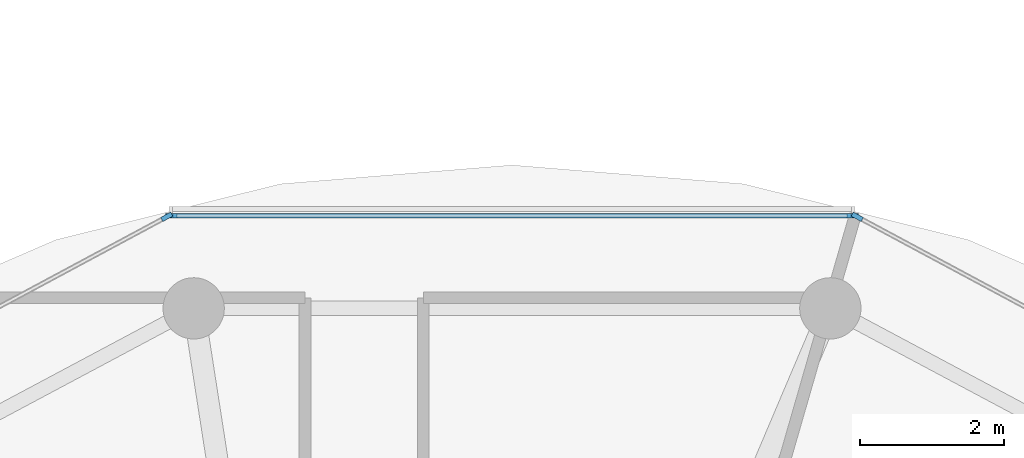
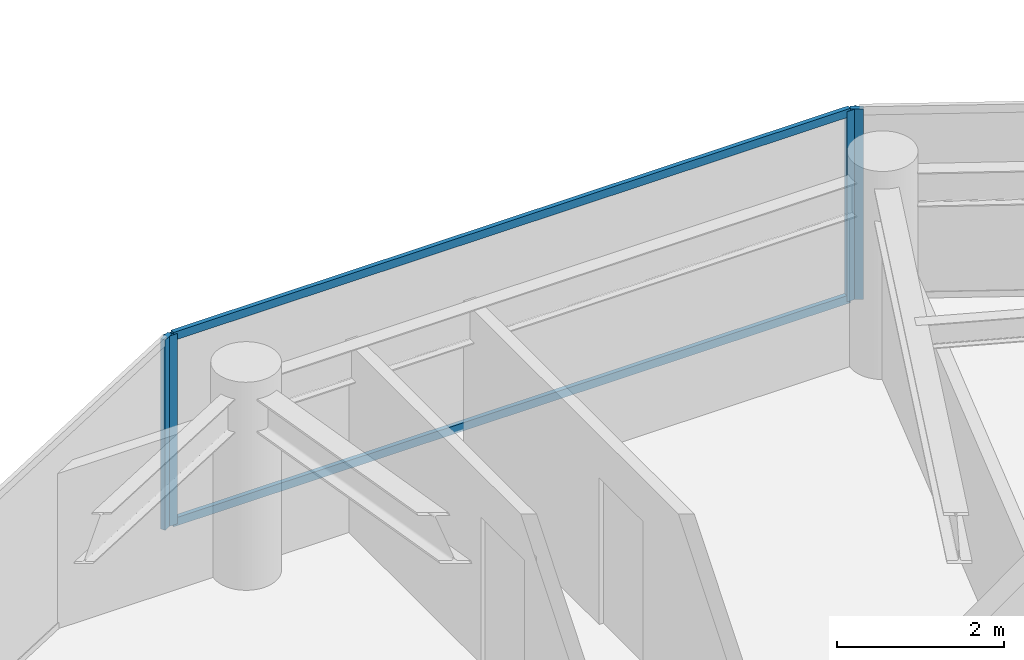
# One storey, part 9 of 24: 6 members, 3 elements without a shape of their own.
"""IFC4 building model written with IfcOpenShell, lengths in metres."""

from ifc_helpers import new_model, si_unit, direction, frame, origin, origin_2d, place, context, subcontext, project, spatial, rectangle, extrude, source, transform, mapped, material, layer, layer_set, material_profile, profile_set, type_object, type_shapes, element, aggregate, save


model = new_model("IFC4")

# Units and contexts
model_context = context("Model", 3, precision=1e-05, world=origin(), true_north=direction((0.0, 1.0)))
body_context = subcontext(model_context, "Body", "Model", "MODEL_VIEW")
ifc_project = project(units=[si_unit("LENGTHUNIT", "METRE"), si_unit("AREAUNIT", "SQUARE_METRE"), si_unit("VOLUMEUNIT", "CUBIC_METRE"), si_unit("PLANEANGLEUNIT", "RADIAN"), si_unit("MASSUNIT", "GRAM", prefix="KILO")], contexts=[model_context])

# Site, building, storey
site_placement = place(None, origin())
site = spatial("IfcSite", under=ifc_project, at=site_placement, CompositionType="ELEMENT")
building_placement = place(site_placement, origin())
building = spatial("IfcBuilding", under=site, at=building_placement, Name="Norrkilde Senior Care Towers", CompositionType="ELEMENT")
storey_placement = place(building_placement, frame((0.0, 0.0, 111.5)))
storey = spatial("IfcBuildingStorey", under=building, at=storey_placement, Name="L34", CompositionType="ELEMENT", Elevation=111.5)

# Curtain wall, member
ifc_material_1 = material(Name="Triple Low-E Insulated Glazing", Category="glass")
ifc_layer = layer(ifc_material_1, 0.195068359375)
ifc_layer_set = layer_set([ifc_layer], Name="Triple Low-E Insulated Glazing")
curtain_wall_type = type_object("IfcCurtainWallType", Name="CW3 Zone 2 Assisted Living Curtain Wall", PredefinedType="NOTDEFINED", material=ifc_layer_set)
curtain_wall_1_placement = place(storey_placement, origin())
curtain_wall_1 = element("IfcCurtainWall", 1, at=curtain_wall_1_placement, inside=storey, type_object=curtain_wall_type, Name="L34 Drum W Curtain Wall 01", PredefinedType="NOTDEFINED")
ifc_material_2 = material(Name="Anodised Aluminium", Category="aluminium")
ifc_material_profile_1 = material_profile(ifc_material_2, rectangle(XDim=0.06494140625, YDim=0.159912109375, at=origin_2d()), Name="ALU MULL 65x160")
ifc_profile_set_1 = profile_set([ifc_material_profile_1], Name="Anodised Aluminium")
member_type_1 = type_object("IfcMemberType", Name="Curtain Wall Mullion Z1-Z2 65x160", PredefinedType="MULLION", material=ifc_profile_set_1)
shared_shape_1 = source(origin(), body_context, "Body", "SweptSolid", [
    extrude(rectangle(XDim=0.06494140625, YDim=0.159912109375, at=origin_2d()), origin(), (0.0, 0.0, 1.0), 2.7900390625),
])
type_shapes(member_type_1, [shared_shape_1])
member_1_placement = place(storey_placement, frame((-21.164306640625, 16.482666015625, 0.0), z_axis=(0.0, 0.0, 1.0), x_axis=(0.472769402511, 0.881186184668, 0.0)))
member_1 = element("IfcMember", 2, at=member_1_placement, type_object=member_type_1, Name="CW-3 mullion 1", PredefinedType="MULLION", context=body_context, shape_type="MappedRepresentation", body=[
    mapped(shared_shape_1, transform((0.0, 0.0, 0.0), x_axis=(1.0, 0.0, 0.0), y_axis=(0.0, 1.0, 0.0), z_axis=(0.0, 0.0, 1.0), scale=1.0)),
])
aggregate(curtain_wall_1, [member_1])

# Curtain wall, members
curtain_wall_2_placement = place(storey_placement, origin())
curtain_wall_2 = element("IfcCurtainWall", 3, at=curtain_wall_2_placement, inside=storey, type_object=curtain_wall_type, Name="L34 Drum W Curtain Wall 02", PredefinedType="NOTDEFINED")
member_2_placement = place(storey_placement, frame((-30.674560546875, 16.498046875, 0.0), z_axis=(0.0, 0.0, 1.0), x_axis=(0.0, 1.0, 0.0)))
member_2 = element("IfcMember", 4, at=member_2_placement, type_object=member_type_1, Name="CW-3 mullion 1", PredefinedType="MULLION", context=body_context, shape_type="MappedRepresentation", body=[
    mapped(shared_shape_1, transform((0.0, 0.0, 0.0), x_axis=(1.0, 0.0, 0.0), y_axis=(0.0, 1.0, 0.0), z_axis=(0.0, 0.0, 1.0), scale=1.0)),
])
member_3_placement = place(storey_placement, frame((-21.225341796875, 16.498046875, 0.0), z_axis=(0.0, 0.0, 1.0), x_axis=(0.0, 1.0, 0.0)))
member_3 = element("IfcMember", 5, at=member_3_placement, type_object=member_type_1, Name="CW-3 mullion 2", PredefinedType="MULLION", context=body_context, shape_type="MappedRepresentation", body=[
    mapped(shared_shape_1, transform((0.0, 0.0, 0.0), x_axis=(1.0, 0.0, 0.0), y_axis=(0.0, 1.0, 0.0), z_axis=(0.0, 0.0, 1.0), scale=1.0)),
])

# Curtain wall, member
curtain_wall_3_placement = place(storey_placement, origin())
curtain_wall_3 = element("IfcCurtainWall", 6, at=curtain_wall_3_placement, inside=storey, type_object=curtain_wall_type, Name="L34 Drum W Curtain Wall 03", PredefinedType="NOTDEFINED")
member_4_placement = place(storey_placement, frame((-30.73583984375, 16.482666015625, 0.0), z_axis=(0.0, 0.0, 1.0), x_axis=(-0.472769402511, 0.881186184668, 0.0)))
member_4 = element("IfcMember", 7, at=member_4_placement, type_object=member_type_1, Name="CW-3 mullion 2", PredefinedType="MULLION", context=body_context, shape_type="MappedRepresentation", body=[
    mapped(shared_shape_1, transform((0.0, 0.0, 0.0), x_axis=(1.0, 0.0, 0.0), y_axis=(0.0, 1.0, 0.0), z_axis=(0.0, 0.0, 1.0), scale=1.0)),
])
aggregate(curtain_wall_3, [member_4])

# Member
ifc_material_profile_2 = material_profile(ifc_material_2, rectangle(XDim=0.06005859375, YDim=0.1201171875, at=origin_2d()), Name="ALU TRAN 60x120")
ifc_profile_set_2 = profile_set([ifc_material_profile_2], Name="Anodised Aluminium")
member_type_2 = type_object("IfcMemberType", Name="Curtain Wall Transom Typical 60x120", PredefinedType="USERDEFINED", material=ifc_profile_set_2)
shared_shape_2 = source(origin(), body_context, "Body", "SweptSolid", [
    extrude(rectangle(XDim=0.06005859375, YDim=0.1201171875, at=origin_2d()), origin(), (0.0, 0.0, 1.0), 9.38427734375),
])
type_shapes(member_type_2, [shared_shape_2])
member_5_placement = place(storey_placement, frame((-30.64208984375, 16.498046875, 0.030029296875), z_axis=(1.0, 0.0, 0.0), x_axis=(0.0, 1.0, 0.0)))
member_5 = element("IfcMember", 8, at=member_5_placement, type_object=member_type_2, Name="CW-3 transom 1.1", ObjectType="TRANSOM", PredefinedType="USERDEFINED", context=body_context, shape_type="MappedRepresentation", body=[
    mapped(shared_shape_2, transform((0.0, 0.0, 0.0), x_axis=(1.0, 0.0, 0.0), y_axis=(0.0, 1.0, 0.0), z_axis=(0.0, 0.0, 1.0), scale=1.0)),
])

member_6_placement = place(storey_placement, frame((-30.64208984375, 16.498046875, 2.760009765625), z_axis=(1.0, 0.0, 0.0), x_axis=(0.0, 1.0, 0.0)))
member_6 = element("IfcMember", 9, at=member_6_placement, type_object=member_type_2, Name="CW-3 transom 1.2", ObjectType="TRANSOM", PredefinedType="USERDEFINED", context=body_context, shape_type="MappedRepresentation", body=[
    mapped(shared_shape_2, transform((0.0, 0.0, 0.0), x_axis=(1.0, 0.0, 0.0), y_axis=(0.0, 1.0, 0.0), z_axis=(0.0, 0.0, 1.0), scale=1.0)),
])

aggregate(curtain_wall_2, [member_2, member_3, member_5, member_6])

save(model, "model.ifc")
